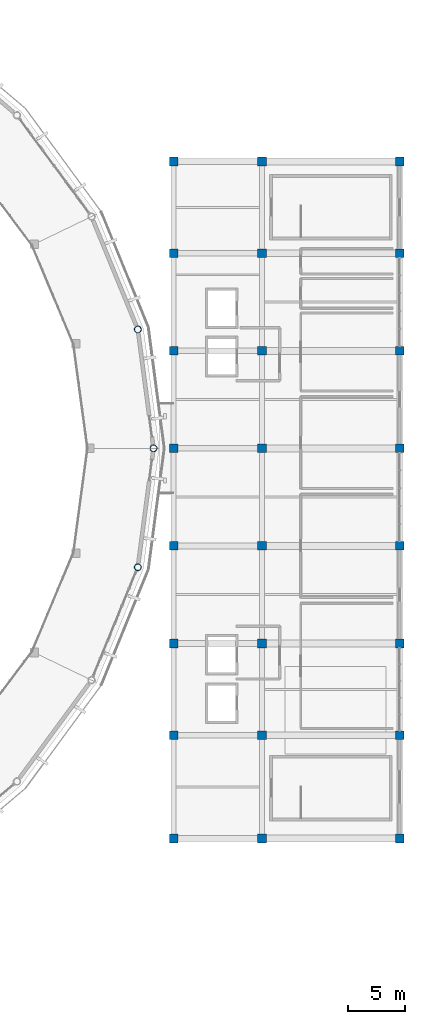
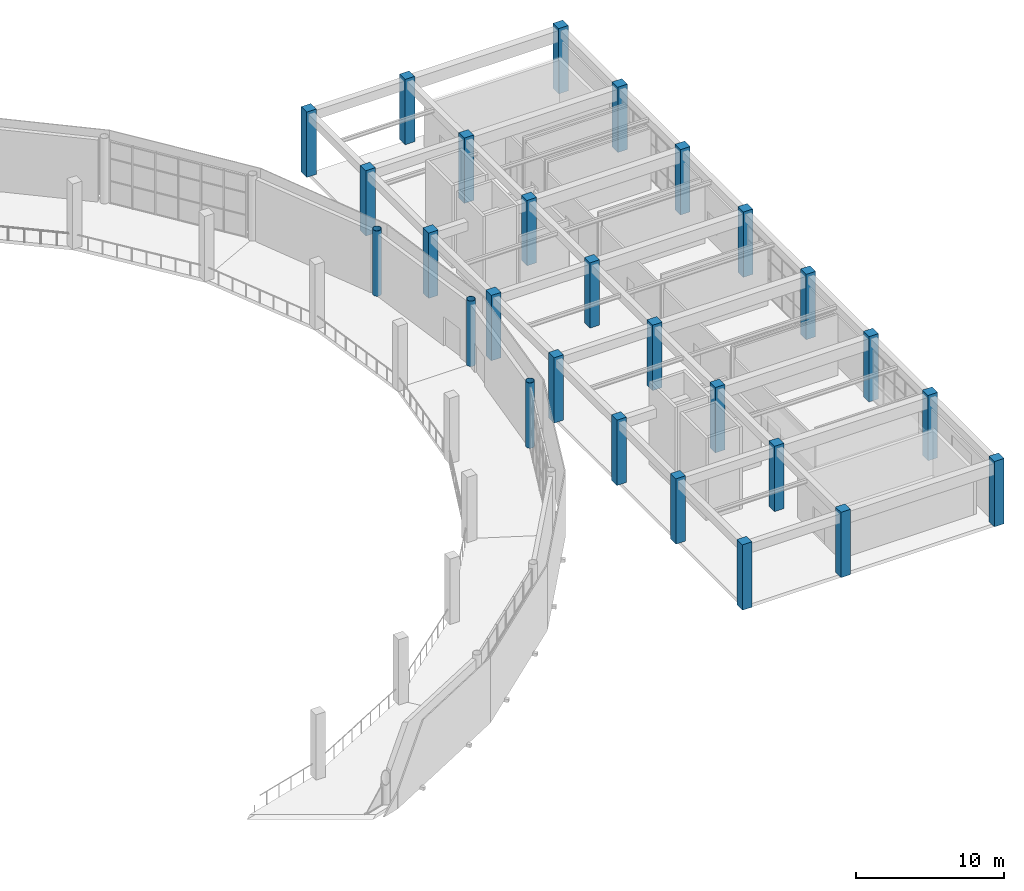
# One storey, part 7 of 40: 27 columns.
"""IFC4 building model written with IfcOpenShell, lengths in metres."""

from ifc_helpers import new_model, si_unit, direction, frame, origin, origin_2d, place, context, subcontext, project, spatial, rectangle, hollow_circle, extrude, material, material_profile, profile_set, type_object, element, save


model = new_model("IFC4")

# Units and contexts
model_context = context("Model", 3, precision=1e-05, world=origin(), true_north=direction((0.0, 1.0)))
body_context = subcontext(model_context, "Body", "Model", "MODEL_VIEW")
ifc_project = project(units=[si_unit("LENGTHUNIT", "METRE"), si_unit("AREAUNIT", "SQUARE_METRE"), si_unit("VOLUMEUNIT", "CUBIC_METRE"), si_unit("PLANEANGLEUNIT", "RADIAN"), si_unit("MASSUNIT", "GRAM", prefix="KILO")], contexts=[model_context])

# Site, building, storey
site_placement = place(None, origin())
site = spatial("IfcSite", under=ifc_project, at=site_placement, CompositionType="ELEMENT")
building_placement = place(site_placement, origin())
building = spatial("IfcBuilding", under=site, at=building_placement, Name="Cuetzalor Civic Arena", CompositionType="ELEMENT")
storey_placement = place(building_placement, frame((0.0, 0.0, 26.39990234375)))
storey = spatial("IfcBuildingStorey", under=building, at=storey_placement, Name="L05", CompositionType="ELEMENT", Elevation=26.39990234375)

# Columns
ifc_material_1 = material(Name="Concrete C40/50", Category="concrete")
ifc_material_profile_1 = material_profile(ifc_material_1, rectangle(XDim=0.75, YDim=0.75, at=origin_2d()), Name="RC 750x750")
ifc_profile_set_1 = profile_set([ifc_material_profile_1], Name="Concrete C40/50")
column_type_1 = type_object("IfcColumnType", Name="ConcreteColumn_750", PredefinedType="COLUMN", material=ifc_profile_set_1)
for number, where, z_axis, x_axis, name in (
    (1, (56.300048828125, -34.0, 0.0), (0.0, 0.0, 1.0), (1.0, 0.0, 0.0), "Column V4E-C-01-03 L05"),
    (2, (56.300048828125, -25.0, 0.0), (0.0, 0.0, 1.0), (1.0, 0.0, 0.0), "Column V4E-C-01-04 L05"),
    (3, (56.300048828125, -17.0, 0.0), (0.0, 0.0, 1.0), (1.0, 0.0, 0.0), "Column V4E-C-01-05 L05"),
    (4, (56.300048828125, -8.5, 0.0), (0.0, 0.0, 1.0), (1.0, 0.0, 0.0), "Column V4E-C-01-06 L05"),
    (5, (56.300048828125, 0.0, 0.0), (0.0, 0.0, 1.0), (1.0, 0.0, 0.0), "Column V4E-C-01-07 L05"),
    (6, (56.300048828125, 8.5, 0.0), (0.0, 0.0, 1.0), (1.0, 0.0, 0.0), "Column V4E-C-01-08 L05"),
    (7, (56.300048828125, 17.0, 0.0), (0.0, 0.0, 1.0), (1.0, 0.0, 0.0), "Column V4E-C-01-09 L05"),
    (8, (56.300048828125, 25.0, 0.0), (0.0, 0.0, 1.0), (1.0, 0.0, 0.0), "Column V4E-C-01-10 L05"),
    (9, (64.0, -34.0, 0.0), (0.0, 0.0, 1.0), (1.0, 0.0, 0.0), "Column V4E-C-02-03 L05"),
    (10, (64.0, -25.0, 0.0), (0.0, 0.0, 1.0), (1.0, 0.0, 0.0), "Column V4E-C-02-04 L05"),
    (11, (64.0, -17.0, 0.0), (0.0, 0.0, 1.0), (1.0, 0.0, 0.0), "Column V4E-C-02-05 L05"),
    (12, (64.0, -8.5, 0.0), (0.0, 0.0, 1.0), (1.0, 0.0, 0.0), "Column V4E-C-02-06 L05"),
    (13, (64.0, 0.0, 0.0), (0.0, 0.0, 1.0), (1.0, 0.0, 0.0), "Column V4E-C-02-07 L05"),
    (14, (64.0, 8.5, 0.0), (0.0, 0.0, 1.0), (1.0, 0.0, 0.0), "Column V4E-C-02-08 L05"),
    (15, (64.0, 17.0, 0.0), (0.0, 0.0, 1.0), (1.0, 0.0, 0.0), "Column V4E-C-02-09 L05"),
    (16, (64.0, 25.0, 0.0), (0.0, 0.0, 1.0), (1.0, 0.0, 0.0), "Column V4E-C-02-10 L05"),
    (17, (76.0, -34.0, 0.0), (0.0, 0.0, 1.0), (1.0, 0.0, 0.0), "Column V4E-C-03-03 L05"),
    (18, (76.0, -25.0, 0.0), (0.0, 0.0, 1.0), (1.0, 0.0, 0.0), "Column V4E-C-03-04 L05"),
    (19, (76.0, -17.0, 0.0), (0.0, 0.0, 1.0), (1.0, 0.0, 0.0), "Column V4E-C-03-05 L05"),
    (20, (76.0, -8.5, 0.0), (0.0, 0.0, 1.0), (1.0, 0.0, 0.0), "Column V4E-C-03-06 L05"),
    (21, (76.0, 0.0, 0.0), (0.0, 0.0, 1.0), (1.0, 0.0, 0.0), "Column V4E-C-03-07 L05"),
    (22, (76.0, 8.5, 0.0), (0.0, 0.0, 1.0), (1.0, 0.0, 0.0), "Column V4E-C-03-08 L05"),
    (23, (76.0, 17.0, 0.0), (0.0, 0.0, 1.0), (1.0, 0.0, 0.0), "Column V4E-C-03-09 L05"),
    (24, (76.0, 25.0, 0.0), (0.0, 0.0, 1.0), (1.0, 0.0, 0.0), "Column V4E-C-03-10 L05"),
):
    element("IfcColumn", number, at=place(storey_placement, frame(where, z_axis=z_axis, x_axis=x_axis)), inside=storey, type_object=column_type_1, Name=name, PredefinedType="COLUMN", context=body_context, shape_type="SweptSolid", body=[
        extrude(rectangle(XDim=0.75, YDim=0.75, at=origin_2d()), origin(), (0.0, 0.0, 1.0), 5.400146484375),
    ])
ifc_material_2 = material(Name="Steel S355", Category="steel")
ifc_material_profile_2 = material_profile(ifc_material_2, hollow_circle(Radius=0.304931640625, WallThickness=0.02490234375, at=origin_2d()), Name="CHS 610x25")
ifc_profile_set_2 = profile_set([ifc_material_profile_2], Name="Steel S355")
column_type_2 = type_object("IfcColumnType", Name="SteelDomePylon_CHS610", PredefinedType="COLUMN", material=ifc_profile_set_2)
for number, where, z_axis, x_axis, name in (
    (25, (54.550048828125, 0.0, 0.0), (0.0, 0.0, 1.0), (1.0, 0.0, 0.0), "Column V1-PYL-01 L05"),
    (26, (53.182373046875, 10.3583984375, 0.0), (0.0, 0.0, 1.0), (1.0, 0.0, 0.0), "Column V1-PYL-02 L05"),
    (27, (53.182373046875, -10.3583984375, 0.0), (0.0, 0.0, 1.0), (1.0, 0.0, 0.0), "Column V1-PYL-28 L05"),
):
    element("IfcColumn", number, at=place(storey_placement, frame(where, z_axis=z_axis, x_axis=x_axis)), inside=storey, type_object=column_type_2, Name=name, PredefinedType="COLUMN", context=body_context, shape_type="SweptSolid", body=[
        extrude(hollow_circle(Radius=0.304931640625, WallThickness=0.02490234375, at=origin_2d()), origin(), (0.0, 0.0, 1.0), 5.400146484375),
    ])

save(model, "model.ifc")
